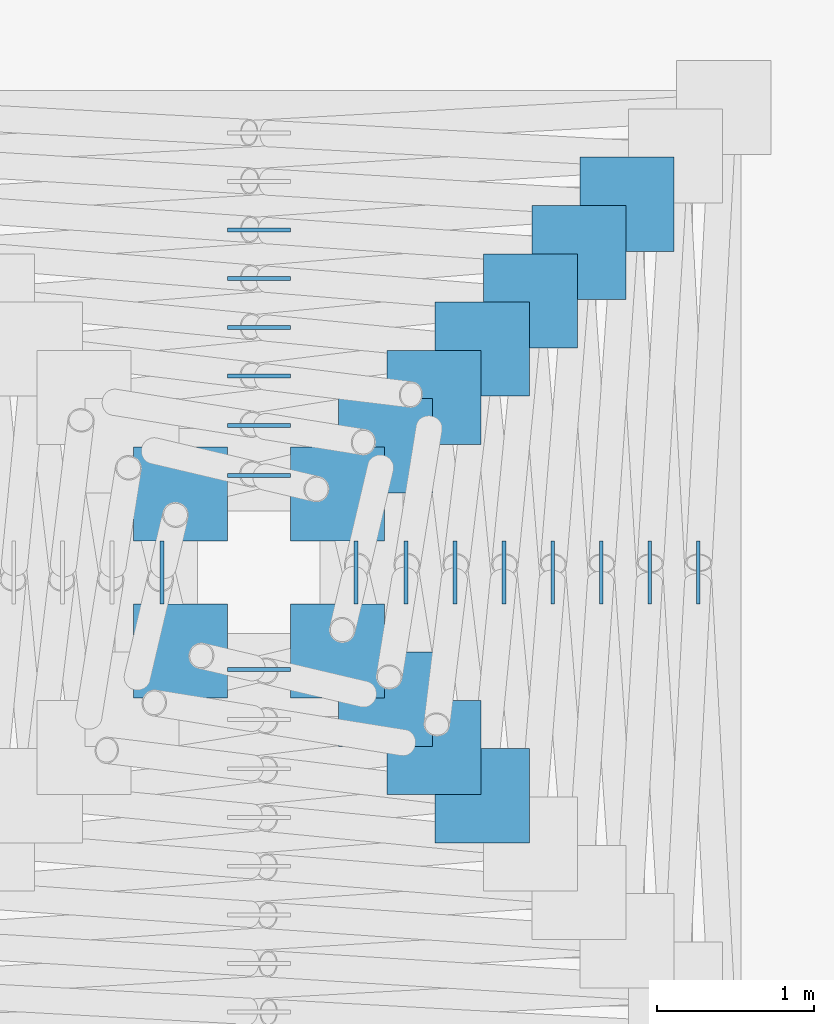
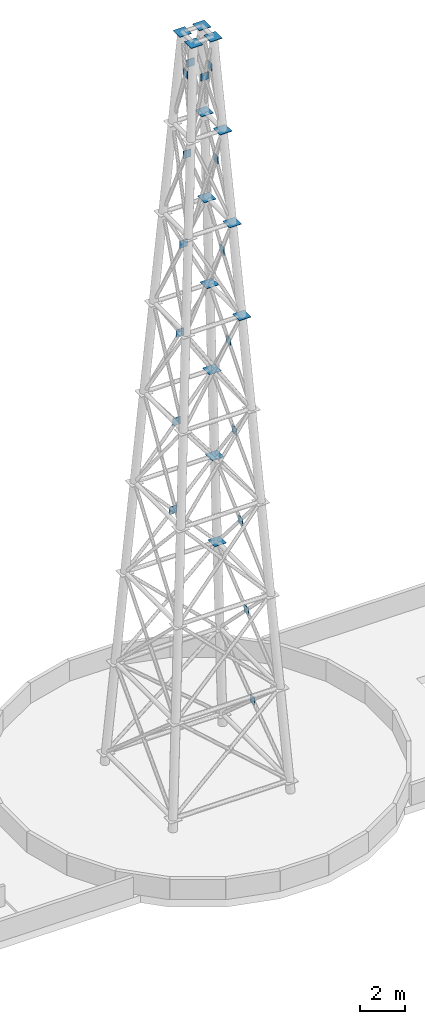
# One storey, part 5 of 6: 29 discrete accessories.
"""IFC4 building model written with IfcOpenShell, lengths in metres."""

from ifc_helpers import new_model, si_unit, direction, frame, origin, origin_2d, place, context, subcontext, project, spatial, rectangle, extrude, source, transform, mapped, material, layer, layer_set, type_object, element, save


model = new_model("IFC4")

# Units and contexts
model_context = context("Model", 3, precision=1e-05, world=origin(), true_north=direction((0.0, 1.0)))
body_context = subcontext(model_context, "Body", "Model", "MODEL_VIEW")
ifc_project = project(units=[si_unit("LENGTHUNIT", "METRE"), si_unit("AREAUNIT", "SQUARE_METRE"), si_unit("VOLUMEUNIT", "CUBIC_METRE"), si_unit("PLANEANGLEUNIT", "RADIAN"), si_unit("MASSUNIT", "GRAM", prefix="KILO")], contexts=[model_context])

# Site, building, storey
site_placement = place(None, origin())
site = spatial("IfcSite", under=ifc_project, at=site_placement, CompositionType="ELEMENT")
building_placement = place(site_placement, origin())
building = spatial("IfcBuilding", under=site, at=building_placement, Name="Kilnfold Tower and Market Hall", CompositionType="ELEMENT")
storey_placement = place(building_placement, frame((0.0, 0.0, 328.800048828125)))
storey = spatial("IfcBuildingStorey", under=building, at=storey_placement, Name="ROOF", CompositionType="ELEMENT", Elevation=328.800048828125)

# Discrete accessories
ifc_material_1 = material(Name="Steel S355", Category="steel")
ifc_layer_1 = layer(ifc_material_1, 0.02490234375)
ifc_layer_set_1 = layer_set([ifc_layer_1], Name="Steel S355")
discrete_accessory_type_1 = type_object("IfcDiscreteAccessoryType", Name="MAST CROSSING PLATE 400X25", PredefinedType="BRACKET", material=ifc_layer_set_1)
shared_shape_1 = source(origin(), body_context, "Body", "SweptSolid", [
    extrude(rectangle(XDim=0.39990234375, YDim=0.02490234375, at=origin_2d()), origin(), (0.0, 0.0, 1.0), 0.39990234375),
])
for number, where, z_axis, x_axis, name in (
    (1, (1.0, 17.18212890625, 12.88525390625), (0.0, 0.0, 1.0), (1.0, 0.0, 0.0), "Crossing plate XP1 3.3"),
    (2, (1.0, 16.87255859375, 17.83837890625), (0.0, 0.0, 1.0), (1.0, 0.0, 0.0), "Crossing plate XP1 4.3"),
    (3, (1.0, 16.562255859375, 22.802734375), (0.0, 0.0, 1.0), (1.0, 0.0, 0.0), "Crossing plate XP1 5.3"),
    (4, (1.0, 16.2509765625, 27.785888671875), (0.0, 0.0, 1.0), (1.0, 0.0, 0.0), "Crossing plate XP1 6.3"),
    (5, (1.0, 15.93701171875, 32.806640625), (0.0, 0.0, 1.0), (1.0, 0.0, 0.0), "Crossing plate XP1 7.3"),
    (6, (1.0, 14.38232421875, 37.9169921875), (0.0, 0.0, 1.0), (1.0, 0.0, 0.0), "Crossing plate XP1 8.1"),
    (7, (1.0, 15.61767578125, 37.9169921875), (0.0, 0.0, 1.0), (1.0, 0.0, 0.0), "Crossing plate XP1 8.3"),
):
    element("IfcDiscreteAccessory", number, at=place(storey_placement, frame(where, z_axis=z_axis, x_axis=x_axis)), inside=storey, type_object=discrete_accessory_type_1, Name=name, ObjectType="CROSSING", PredefinedType="BRACKET", context=body_context, shape_type="MappedRepresentation", body=[
        mapped(shared_shape_1, transform((0.0, 0.0, 0.0))),
    ])
shared_shape_2 = source(origin(), body_context, "Body", "SweptSolid", [
    extrude(rectangle(XDim=0.02490234375, YDim=0.39990234375, at=origin_2d()), origin(), (0.0, 0.0, 1.0), 0.39990234375),
])
for number, where, z_axis, x_axis, name in (
    (8, (3.80029296875, 15.0, 2.997314453125), (0.0, 0.0, 1.0), (1.0, 0.0, 0.0), "Crossing plate XP1 1.2"),
    (9, (3.4912109375, 15.0, 7.939208984375), (0.0, 0.0, 1.0), (1.0, 0.0, 0.0), "Crossing plate XP1 2.2"),
    (10, (3.18212890625, 15.0, 12.88525390625), (0.0, 0.0, 1.0), (1.0, 0.0, 0.0), "Crossing plate XP1 3.2"),
    (11, (2.87255859375, 15.0, 17.83837890625), (0.0, 0.0, 1.0), (1.0, 0.0, 0.0), "Crossing plate XP1 4.2"),
    (12, (2.562255859375, 15.0, 22.802734375), (0.0, 0.0, 1.0), (1.0, 0.0, 0.0), "Crossing plate XP1 5.2"),
    (13, (2.2509765625, 15.0, 27.785888671875), (0.0, 0.0, 1.0), (1.0, 0.0, 0.0), "Crossing plate XP1 6.2"),
    (14, (1.93701171875, 15.0, 32.806640625), (0.0, 0.0, 1.0), (1.0, 0.0, 0.0), "Crossing plate XP1 7.2"),
    (15, (1.61767578125, 15.0, 37.9169921875), (0.0, 0.0, 1.0), (1.0, 0.0, 0.0), "Crossing plate XP1 8.2"),
    (16, (0.38232421875, 15.0, 37.9169921875), (0.0, 0.0, 1.0), (1.0, 0.0, 0.0), "Crossing plate XP1 8.4"),
):
    element("IfcDiscreteAccessory", number, at=place(storey_placement, frame(where, z_axis=z_axis, x_axis=x_axis)), inside=storey, type_object=discrete_accessory_type_1, Name=name, ObjectType="CROSSING", PredefinedType="BRACKET", context=body_context, shape_type="MappedRepresentation", body=[
        mapped(shared_shape_2, transform((0.0, 0.0, 0.0))),
    ])
ifc_material_2 = material(Name="Steel S355", Category="steel")
ifc_layer_2 = layer(ifc_material_2, 0.02490234375)
ifc_layer_set_2 = layer_set([ifc_layer_2], Name="Steel S355")
discrete_accessory_type_2 = type_object("IfcDiscreteAccessoryType", Name="MAST GUSSET PLATE 600X25", PredefinedType="BRACKET", material=ifc_layer_set_2)
shared_shape_3 = source(origin(), body_context, "Body", "SweptSolid", [
    extrude(rectangle(XDim=0.60009765625, YDim=0.60009765625, at=origin_2d()), origin(), (0.0, 0.0, 1.0), 0.02490234375),
])
for number, where, z_axis, x_axis, name in (
    (17, (3.346923828125, 17.346923828125, 10.4375), (0.0, 0.0, 1.0), (1.0, 0.0, 0.0), "Gusset plate GP1 2.3"),
    (18, (3.0390625, 17.0390625, 15.362548828125), (0.0, 0.0, 1.0), (1.0, 0.0, 0.0), "Gusset plate GP1 3.3"),
    (19, (2.731201171875, 16.731201171875, 20.28759765625), (0.0, 0.0, 1.0), (1.0, 0.0, 0.0), "Gusset plate GP1 4.3"),
    (20, (2.42333984375, 13.57666015625, 25.21240234375), (0.0, 0.0, 1.0), (1.0, 0.0, 0.0), "Gusset plate GP1 5.2"),
    (21, (2.42333984375, 16.42333984375, 25.21240234375), (0.0, 0.0, 1.0), (1.0, 0.0, 0.0), "Gusset plate GP1 5.3"),
    (22, (2.115478515625, 13.884521484375, 30.137451171875), (0.0, 0.0, 1.0), (1.0, 0.0, 0.0), "Gusset plate GP1 6.2"),
    (23, (2.115478515625, 16.115478515625, 30.137451171875), (0.0, 0.0, 1.0), (1.0, 0.0, 0.0), "Gusset plate GP1 6.3"),
    (24, (1.807861328125, 14.192138671875, 35.0625), (0.0, 0.0, 1.0), (1.0, 0.0, 0.0), "Gusset plate GP1 7.2"),
    (25, (1.807861328125, 15.807861328125, 35.0625), (0.0, 0.0, 1.0), (1.0, 0.0, 0.0), "Gusset plate GP1 7.3"),
    (26, (0.5, 14.5, 39.987548828125), (0.0, 0.0, 1.0), (1.0, 0.0, 0.0), "Gusset plate GP1 8.1"),
    (27, (1.5, 14.5, 39.987548828125), (0.0, 0.0, 1.0), (1.0, 0.0, 0.0), "Gusset plate GP1 8.2"),
    (28, (1.5, 15.5, 39.987548828125), (0.0, 0.0, 1.0), (1.0, 0.0, 0.0), "Gusset plate GP1 8.3"),
    (29, (0.5, 15.5, 39.987548828125), (0.0, 0.0, 1.0), (1.0, 0.0, 0.0), "Gusset plate GP1 8.4"),
):
    element("IfcDiscreteAccessory", number, at=place(storey_placement, frame(where, z_axis=z_axis, x_axis=x_axis)), inside=storey, type_object=discrete_accessory_type_2, Name=name, ObjectType="GUSSET", PredefinedType="BRACKET", context=body_context, shape_type="MappedRepresentation", body=[
        mapped(shared_shape_3, transform((0.0, 0.0, 0.0))),
    ])

save(model, "model.ifc")
